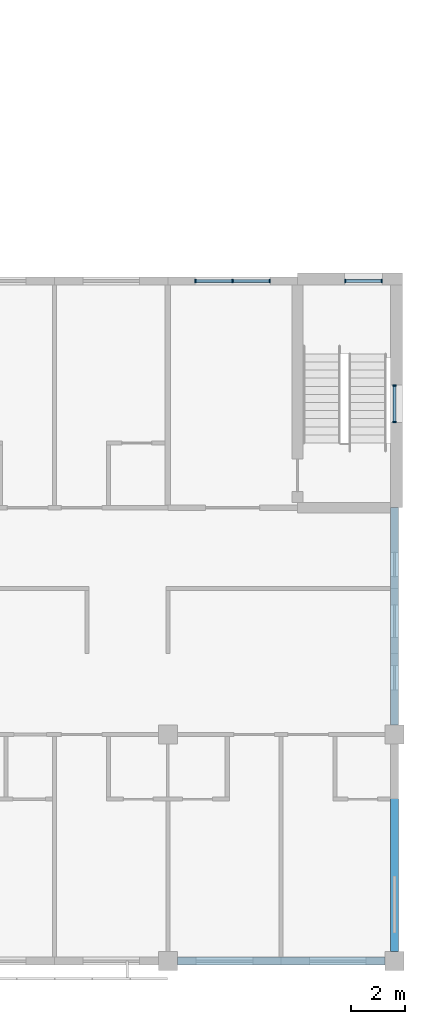
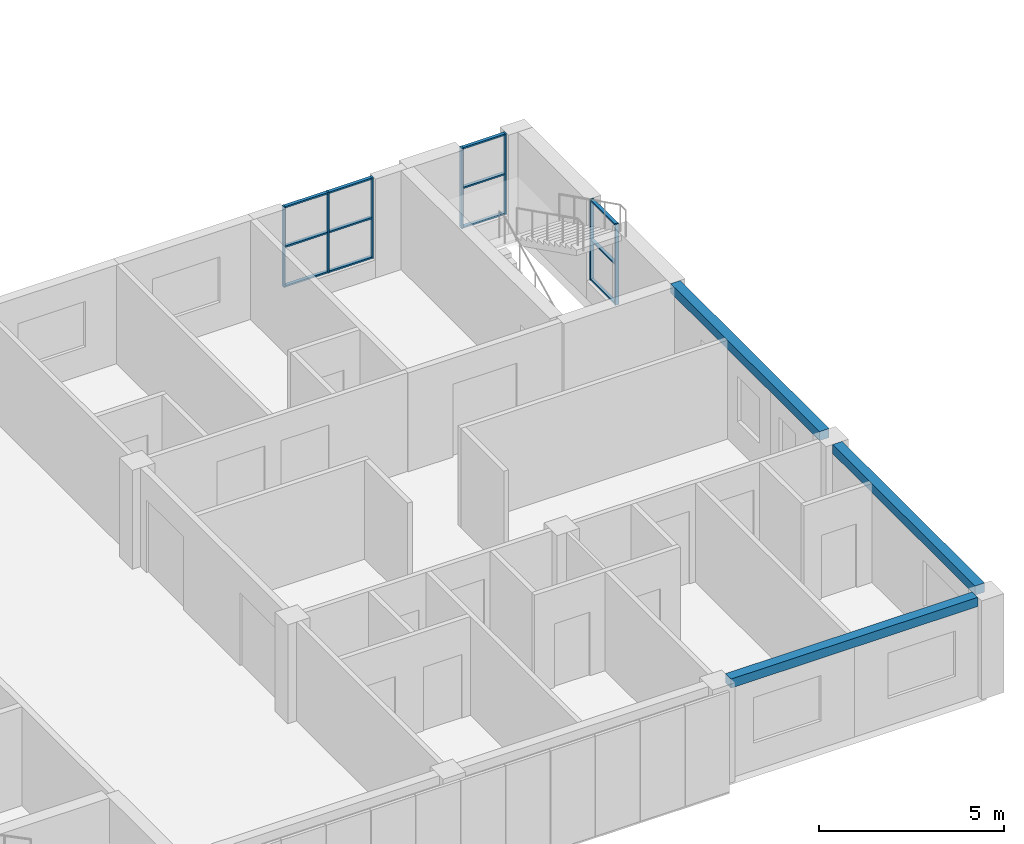
# One storey, part 18 of 46: 19 members, 3 beams, 3 elements without a shape of their own.
"""IFC4 building model written with IfcOpenShell, lengths in metres."""

from ifc_helpers import new_model, si_unit, direction, frame, origin, origin_2d, place, context, subcontext, project, spatial, rectangle, extrude, material, material_profile, profile_set, type_object, element, aggregate, save


model = new_model("IFC4")

# Units and contexts
model_context = context("Model", 3, precision=1e-05, world=origin(), true_north=direction((0.0, 1.0)))
body_context = subcontext(model_context, "Body", "Model", "MODEL_VIEW")
ifc_project = project(units=[si_unit("LENGTHUNIT", "METRE"), si_unit("AREAUNIT", "SQUARE_METRE"), si_unit("VOLUMEUNIT", "CUBIC_METRE"), si_unit("PLANEANGLEUNIT", "RADIAN"), si_unit("MASSUNIT", "GRAM", prefix="KILO")], contexts=[model_context])

# Site, building, storey
site_placement = place(None, origin())
site = spatial("IfcSite", under=ifc_project, at=site_placement, CompositionType="ELEMENT")
building_placement = place(site_placement, origin())
building = spatial("IfcBuilding", under=site, at=building_placement, Name="Yavir Park General Hospital", CompositionType="ELEMENT")
storey_placement = place(building_placement, frame((0.0, 0.0, 18.89990234375)))
storey = spatial("IfcBuildingStorey", under=building, at=storey_placement, Name="L04", CompositionType="ELEMENT", Elevation=18.89990234375)

# Beams
ifc_material_1 = material(Name="Concrete C35/45", Category="concrete")
ifc_material_profile_1 = material_profile(ifc_material_1, rectangle(XDim=0.300048828125, YDim=0.300048828125, at=origin_2d()), Name="RC300x300")
ifc_profile_set_1 = profile_set([ifc_material_profile_1], Name="Concrete C35/45")
beam_type = type_object("IfcBeamType", Name="RC BEAM 300x300 edge beam", PredefinedType="BEAM", material=ifc_profile_set_1)
for number, where, z_axis, x_axis, name in (
    (1, (159.949951171875, 0.0, 3.110107421875), (1.0, 0.0, 0.0), (0.0, 1.0, 0.0), "B:EDGE:L04:010"),
    (2, (168.0, 0.35009765625, 3.110107421875), (0.0, 1.0, 0.0), (-1.0, 0.0, 0.0), "B:EDGE:L04:037"),
):
    element("IfcBeam", number, at=place(storey_placement, frame(where, z_axis=z_axis, x_axis=x_axis)), inside=storey, type_object=beam_type, Name=name, PredefinedType="BEAM", context=body_context, shape_type="SweptSolid", body=[
        extrude(rectangle(XDim=0.300048828125, YDim=0.300048828125, at=origin_2d()), origin(), (0.0, 0.0, 1.0), 7.699951171875),
    ])
beam_placement = place(storey_placement, frame((168.0, 8.75, 3.110107421875), z_axis=(0.0, 1.0, 0.0), x_axis=(-1.0, 0.0, 0.0)))
element("IfcBeam", 3, at=beam_placement, inside=storey, type_object=beam_type, Name="B:EDGE:L04:038", PredefinedType="BEAM", context=body_context, shape_type="SweptSolid", body=[
    extrude(rectangle(XDim=0.300048828125, YDim=0.300048828125, at=origin_2d()), origin(), (0.0, 0.0, 1.0), 8.050048828125),
])

# Curtain wall, members
ifc_material_2 = material(Name="Aluminium curtain wall frame with insulated glazing", Category="aluminium")
curtain_wall_type_1 = type_object("IfcCurtainWallType", Name="Stair light slot, ward floors, 2660 high, 1400 module", PredefinedType="NOTDEFINED", material=ifc_material_2)
curtain_wall_1_placement = place(storey_placement, origin())
curtain_wall_1 = element("IfcCurtainWall", 4, at=curtain_wall_1_placement, inside=storey, type_object=curtain_wall_type_1, Name="CW10 L04-013", PredefinedType="NOTDEFINED")
ifc_material_3 = material(Name="Aluminium", Category="aluminium")
ifc_material_profile_2 = material_profile(ifc_material_3, rectangle(XDim=0.1201171875, YDim=0.050048828125, at=origin_2d()), Name="AL 50x120")
ifc_profile_set_2 = profile_set([ifc_material_profile_2], Name="Aluminium")
member_type_1 = type_object("IfcMemberType", Name="Stair light slot, ward floors, 2660 high mullion 50 x 120", PredefinedType="MULLION", material=ifc_profile_set_2)
member_1_placement = place(storey_placement, frame((166.175048828125, 25.199951171875, 0.60009765625), z_axis=(0.0, 0.0, 1.0), x_axis=(0.0, 1.0, 0.0)))
member_1 = element("IfcMember", 5, at=member_1_placement, type_object=member_type_1, Name="CW10 mullion 1", PredefinedType="MULLION", context=body_context, shape_type="SweptSolid", body=[
    extrude(rectangle(XDim=0.1201171875, YDim=0.050048828125, at=origin_2d()), origin(), (0.0, 0.0, 1.0), 2.659912109375),
])
member_2_placement = place(storey_placement, frame((167.52490234375, 25.199951171875, 0.60009765625), z_axis=(0.0, 0.0, 1.0), x_axis=(0.0, 1.0, 0.0)))
member_2 = element("IfcMember", 6, at=member_2_placement, type_object=member_type_1, Name="CW10 mullion 2", PredefinedType="MULLION", context=body_context, shape_type="SweptSolid", body=[
    extrude(rectangle(XDim=0.1201171875, YDim=0.050048828125, at=origin_2d()), origin(), (0.0, 0.0, 1.0), 2.659912109375),
])

curtain_wall_2_placement = place(storey_placement, origin())
curtain_wall_2 = element("IfcCurtainWall", 7, at=curtain_wall_2_placement, inside=storey, type_object=curtain_wall_type_1, Name="CW10 L04-027", PredefinedType="NOTDEFINED")
member_3_placement = place(storey_placement, frame((168.0, 19.97509765625, 0.60009765625), z_axis=(0.0, 0.0, 1.0), x_axis=(-1.0, 0.0, 0.0)))
member_3 = element("IfcMember", 8, at=member_3_placement, type_object=member_type_1, Name="CW10 mullion 1", PredefinedType="MULLION", context=body_context, shape_type="SweptSolid", body=[
    extrude(rectangle(XDim=0.1201171875, YDim=0.050048828125, at=origin_2d()), origin(), (0.0, 0.0, 1.0), 2.659912109375),
])
member_4_placement = place(storey_placement, frame((168.0, 21.324951171875, 0.60009765625), z_axis=(0.0, 0.0, 1.0), x_axis=(-1.0, 0.0, 0.0)))
member_4 = element("IfcMember", 9, at=member_4_placement, type_object=member_type_1, Name="CW10 mullion 2", PredefinedType="MULLION", context=body_context, shape_type="SweptSolid", body=[
    extrude(rectangle(XDim=0.1201171875, YDim=0.050048828125, at=origin_2d()), origin(), (0.0, 0.0, 1.0), 2.659912109375),
])

# Member
ifc_material_4 = material(Name="Aluminium", Category="aluminium")
ifc_material_profile_3 = material_profile(ifc_material_4, rectangle(XDim=0.10009765625, YDim=0.050048828125, at=origin_2d()), Name="AL 100x50")
ifc_profile_set_3 = profile_set([ifc_material_profile_3], Name="Aluminium")
member_type_2 = type_object("IfcMemberType", Name="Stair light slot, ward floors, 2660 high transom 50 x 100", PredefinedType="MULLION", material=ifc_profile_set_3)
member_5_placement = place(storey_placement, frame((166.199951171875, 25.199951171875, 0.625), z_axis=(1.0, 0.0, 0.0), x_axis=(0.0, 1.0, 0.0)))
member_5 = element("IfcMember", 10, at=member_5_placement, type_object=member_type_2, Name="CW10 transom 1.1", PredefinedType="MULLION", context=body_context, shape_type="SweptSolid", body=[
    extrude(rectangle(XDim=0.10009765625, YDim=0.050048828125, at=origin_2d()), origin(), (0.0, 0.0, 1.0), 1.300048828125),
])

member_6_placement = place(storey_placement, frame((166.199951171875, 25.199951171875, 1.93017578125), z_axis=(1.0, 0.0, 0.0), x_axis=(0.0, 1.0, 0.0)))
member_6 = element("IfcMember", 11, at=member_6_placement, type_object=member_type_2, Name="CW10 transom 1.2", PredefinedType="MULLION", context=body_context, shape_type="SweptSolid", body=[
    extrude(rectangle(XDim=0.10009765625, YDim=0.050048828125, at=origin_2d()), origin(), (0.0, 0.0, 1.0), 1.300048828125),
])

member_7_placement = place(storey_placement, frame((166.199951171875, 25.199951171875, 3.235107421875), z_axis=(1.0, 0.0, 0.0), x_axis=(0.0, 1.0, 0.0)))
member_7 = element("IfcMember", 12, at=member_7_placement, type_object=member_type_2, Name="CW10 transom 1.3", PredefinedType="MULLION", context=body_context, shape_type="SweptSolid", body=[
    extrude(rectangle(XDim=0.10009765625, YDim=0.050048828125, at=origin_2d()), origin(), (0.0, 0.0, 1.0), 1.300048828125),
])

aggregate(curtain_wall_1, [member_1, member_2, member_5, member_6, member_7])

member_8_placement = place(storey_placement, frame((168.0, 20.0, 0.625), z_axis=(0.0, 1.0, 0.0), x_axis=(-1.0, 0.0, 0.0)))
member_8 = element("IfcMember", 13, at=member_8_placement, type_object=member_type_2, Name="CW10 transom 1.1", PredefinedType="MULLION", context=body_context, shape_type="SweptSolid", body=[
    extrude(rectangle(XDim=0.10009765625, YDim=0.050048828125, at=origin_2d()), origin(), (0.0, 0.0, 1.0), 1.300048828125),
])

member_9_placement = place(storey_placement, frame((168.0, 20.0, 1.93017578125), z_axis=(0.0, 1.0, 0.0), x_axis=(-1.0, 0.0, 0.0)))
member_9 = element("IfcMember", 14, at=member_9_placement, type_object=member_type_2, Name="CW10 transom 1.2", PredefinedType="MULLION", context=body_context, shape_type="SweptSolid", body=[
    extrude(rectangle(XDim=0.10009765625, YDim=0.050048828125, at=origin_2d()), origin(), (0.0, 0.0, 1.0), 1.300048828125),
])

member_10_placement = place(storey_placement, frame((168.0, 20.0, 3.235107421875), z_axis=(0.0, 1.0, 0.0), x_axis=(-1.0, 0.0, 0.0)))
member_10 = element("IfcMember", 15, at=member_10_placement, type_object=member_type_2, Name="CW10 transom 1.3", PredefinedType="MULLION", context=body_context, shape_type="SweptSolid", body=[
    extrude(rectangle(XDim=0.10009765625, YDim=0.050048828125, at=origin_2d()), origin(), (0.0, 0.0, 1.0), 1.300048828125),
])

aggregate(curtain_wall_2, [member_3, member_4, member_8, member_9, member_10])

# Curtain wall, members
ifc_material_5 = material(Name="Aluminium curtain wall frame with insulated glazing", Category="aluminium")
curtain_wall_type_2 = type_object("IfcCurtainWallType", Name="Ward corridor end glazing, 2660 high, 1400 module", PredefinedType="NOTDEFINED", material=ifc_material_5)
curtain_wall_3_placement = place(storey_placement, origin())
curtain_wall_3 = element("IfcCurtainWall", 16, at=curtain_wall_3_placement, inside=storey, type_object=curtain_wall_type_2, Name="CW15 L04-012", PredefinedType="NOTDEFINED")
ifc_material_6 = material(Name="Aluminium", Category="aluminium")
ifc_material_profile_4 = material_profile(ifc_material_6, rectangle(XDim=0.1201171875, YDim=0.050048828125, at=origin_2d()), Name="AL 50x120")
ifc_profile_set_4 = profile_set([ifc_material_profile_4], Name="Aluminium")
member_type_3 = type_object("IfcMemberType", Name="Ward corridor end glazing, 2660 high mullion 50 x 120", PredefinedType="MULLION", material=ifc_profile_set_4)
member_11_placement = place(storey_placement, frame((160.625, 25.199951171875, 0.60009765625), z_axis=(0.0, 0.0, 1.0), x_axis=(0.0, 1.0, 0.0)))
member_11 = element("IfcMember", 17, at=member_11_placement, type_object=member_type_3, Name="CW15 mullion 1", PredefinedType="MULLION", context=body_context, shape_type="SweptSolid", body=[
    extrude(rectangle(XDim=0.1201171875, YDim=0.050048828125, at=origin_2d()), origin(), (0.0, 0.0, 1.0), 2.659912109375),
])
member_12_placement = place(storey_placement, frame((162.0, 25.199951171875, 0.60009765625), z_axis=(0.0, 0.0, 1.0), x_axis=(0.0, 1.0, 0.0)))
member_12 = element("IfcMember", 18, at=member_12_placement, type_object=member_type_3, Name="CW15 mullion 2", PredefinedType="MULLION", context=body_context, shape_type="SweptSolid", body=[
    extrude(rectangle(XDim=0.1201171875, YDim=0.050048828125, at=origin_2d()), origin(), (0.0, 0.0, 1.0), 2.659912109375),
])
member_13_placement = place(storey_placement, frame((163.375, 25.199951171875, 0.60009765625), z_axis=(0.0, 0.0, 1.0), x_axis=(0.0, 1.0, 0.0)))
member_13 = element("IfcMember", 19, at=member_13_placement, type_object=member_type_3, Name="CW15 mullion 3", PredefinedType="MULLION", context=body_context, shape_type="SweptSolid", body=[
    extrude(rectangle(XDim=0.1201171875, YDim=0.050048828125, at=origin_2d()), origin(), (0.0, 0.0, 1.0), 2.659912109375),
])
ifc_material_7 = material(Name="Aluminium", Category="aluminium")
ifc_material_profile_5 = material_profile(ifc_material_7, rectangle(XDim=0.10009765625, YDim=0.050048828125, at=origin_2d()), Name="AL 100x50")
ifc_profile_set_5 = profile_set([ifc_material_profile_5], Name="Aluminium")
member_type_4 = type_object("IfcMemberType", Name="Ward corridor end glazing, 2660 high transom 50 x 100", PredefinedType="MULLION", material=ifc_profile_set_5)
member_14_placement = place(storey_placement, frame((160.64990234375, 25.199951171875, 0.625), z_axis=(1.0, 0.0, 0.0), x_axis=(0.0, 1.0, 0.0)))
member_14 = element("IfcMember", 20, at=member_14_placement, type_object=member_type_4, Name="CW15 transom 1.1", PredefinedType="MULLION", context=body_context, shape_type="SweptSolid", body=[
    extrude(rectangle(XDim=0.10009765625, YDim=0.050048828125, at=origin_2d()), origin(), (0.0, 0.0, 1.0), 1.3251953125),
])
member_15_placement = place(storey_placement, frame((160.64990234375, 25.199951171875, 1.93017578125), z_axis=(1.0, 0.0, 0.0), x_axis=(0.0, 1.0, 0.0)))
member_15 = element("IfcMember", 21, at=member_15_placement, type_object=member_type_4, Name="CW15 transom 1.2", PredefinedType="MULLION", context=body_context, shape_type="SweptSolid", body=[
    extrude(rectangle(XDim=0.10009765625, YDim=0.050048828125, at=origin_2d()), origin(), (0.0, 0.0, 1.0), 1.3251953125),
])
member_16_placement = place(storey_placement, frame((160.64990234375, 25.199951171875, 3.235107421875), z_axis=(1.0, 0.0, 0.0), x_axis=(0.0, 1.0, 0.0)))
member_16 = element("IfcMember", 22, at=member_16_placement, type_object=member_type_4, Name="CW15 transom 1.3", PredefinedType="MULLION", context=body_context, shape_type="SweptSolid", body=[
    extrude(rectangle(XDim=0.10009765625, YDim=0.050048828125, at=origin_2d()), origin(), (0.0, 0.0, 1.0), 1.3251953125),
])
member_17_placement = place(storey_placement, frame((162.02490234375, 25.199951171875, 0.625), z_axis=(1.0, 0.0, 0.0), x_axis=(0.0, 1.0, 0.0)))
member_17 = element("IfcMember", 23, at=member_17_placement, type_object=member_type_4, Name="CW15 transom 2.1", PredefinedType="MULLION", context=body_context, shape_type="SweptSolid", body=[
    extrude(rectangle(XDim=0.10009765625, YDim=0.050048828125, at=origin_2d()), origin(), (0.0, 0.0, 1.0), 1.3251953125),
])
member_18_placement = place(storey_placement, frame((162.02490234375, 25.199951171875, 1.93017578125), z_axis=(1.0, 0.0, 0.0), x_axis=(0.0, 1.0, 0.0)))
member_18 = element("IfcMember", 24, at=member_18_placement, type_object=member_type_4, Name="CW15 transom 2.2", PredefinedType="MULLION", context=body_context, shape_type="SweptSolid", body=[
    extrude(rectangle(XDim=0.10009765625, YDim=0.050048828125, at=origin_2d()), origin(), (0.0, 0.0, 1.0), 1.3251953125),
])
member_19_placement = place(storey_placement, frame((162.02490234375, 25.199951171875, 3.235107421875), z_axis=(1.0, 0.0, 0.0), x_axis=(0.0, 1.0, 0.0)))
member_19 = element("IfcMember", 25, at=member_19_placement, type_object=member_type_4, Name="CW15 transom 2.3", PredefinedType="MULLION", context=body_context, shape_type="SweptSolid", body=[
    extrude(rectangle(XDim=0.10009765625, YDim=0.050048828125, at=origin_2d()), origin(), (0.0, 0.0, 1.0), 1.3251953125),
])
aggregate(curtain_wall_3, [member_11, member_12, member_13, member_14, member_15, member_16, member_17, member_18, member_19])

save(model, "model.ifc")
